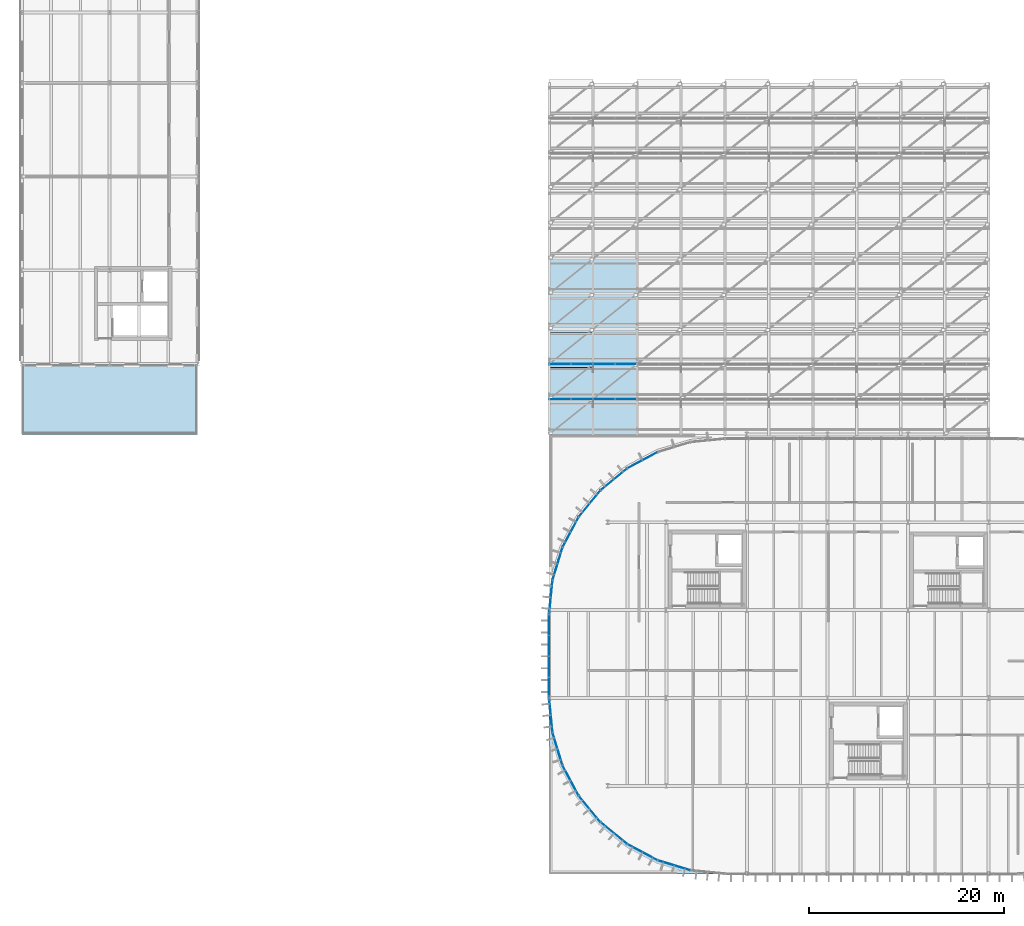
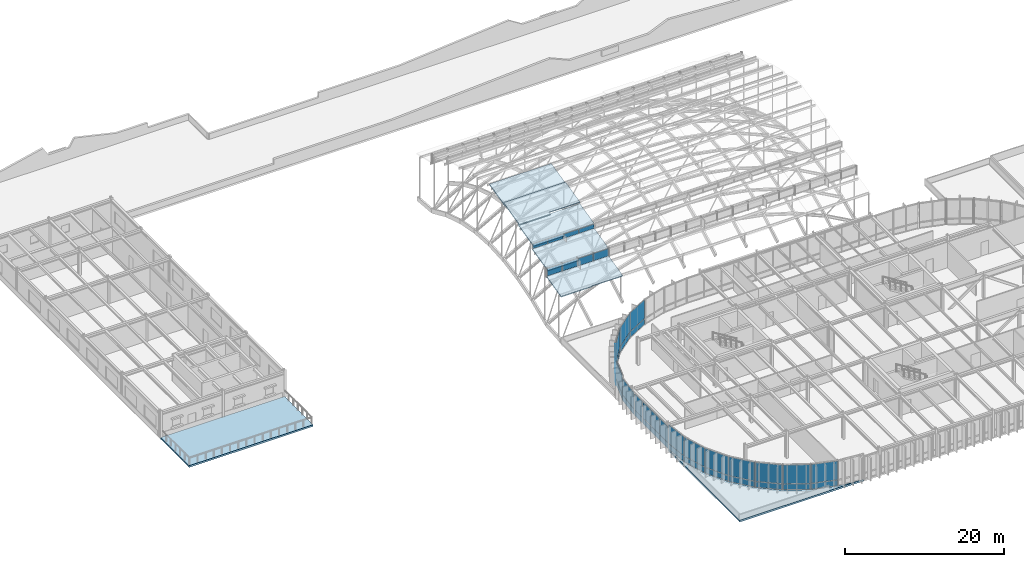
# One storey, part 42 of 69: 42 plates, 7 slabs, 18 elements without a shape of their own.
"""IFC4 building model written with IfcOpenShell, lengths in metres."""

from ifc_helpers import new_model, si_unit, direction, frame, origin, origin_2d, place, context, subcontext, project, spatial, polyline, rectangle, outline, extrude, material, layer, layer_set, type_object, element, aggregate, save


model = new_model("IFC4")

# Units and contexts
model_context = context("Model", 3, precision=1e-05, world=origin(), true_north=direction((0.0, 1.0)))
body_context = subcontext(model_context, "Body", "Model", "MODEL_VIEW")
ifc_project = project(units=[si_unit("LENGTHUNIT", "METRE"), si_unit("AREAUNIT", "SQUARE_METRE"), si_unit("VOLUMEUNIT", "CUBIC_METRE"), si_unit("PLANEANGLEUNIT", "RADIAN"), si_unit("MASSUNIT", "GRAM", prefix="KILO")], contexts=[model_context])

# Site, building, storey
site_placement = place(None, origin())
site = spatial("IfcSite", under=ifc_project, at=site_placement, CompositionType="ELEMENT")
building_placement = place(site_placement, origin())
building = spatial("IfcBuilding", under=site, at=building_placement, Name="Montealbar Specialist Clinic", CompositionType="ELEMENT")
storey_placement = place(building_placement, frame((0.0, 0.0, 9.60009765625)))
storey = spatial("IfcBuildingStorey", under=building, at=storey_placement, Name="L02", CompositionType="ELEMENT", Elevation=9.60009765625)

# Curtain wall, plates
ifc_material_1 = material(Name="Low-E double glazing", Category="glass")
ifc_layer_1 = layer(ifc_material_1, 0.199951171875, Name="Low-E double glazing", Category="glass")
ifc_layer_set_1 = layer_set([ifc_layer_1], Name="Low-E double glazing")
curtain_wall_type_1 = type_object("IfcCurtainWallType", Name="CW-TYPE-47", PredefinedType="NOTDEFINED", material=ifc_layer_set_1)
curtain_wall_1_placement = place(storey_placement, origin())
curtain_wall_1 = element("IfcCurtainWall", 1, at=curtain_wall_1_placement, inside=storey, type_object=curtain_wall_type_1, Name="Unitised Curtain Wall CW-L02-540-486-630-486-175", PredefinedType="NOTDEFINED")
ifc_layer_2 = layer(ifc_material_1, 0.028076171875, Name="Low-E double glazing", Category="glass")
ifc_layer_set_2 = layer_set([ifc_layer_2], Name="Low-E double glazing")
plate_type_1 = type_object("IfcPlateType", Name="CW-PNL-IGU28", PredefinedType="CURTAIN_PANEL", material=ifc_layer_set_2)
plate_1_placement = place(storey_placement, frame((55.125, 48.60009765625, 8.00439453125), z_axis=(0.0, 0.0, 1.0), x_axis=(1.0, 0.0, 0.0)))
plate_1 = element("IfcPlate", 2, at=plate_1_placement, type_object=plate_type_1, Name="Glazed Curtain Panel CW-L02-540-486-630-486-175-1-1", PredefinedType="CURTAIN_PANEL", context=body_context, shape_type="SweptSolid", body=[
    extrude(rectangle(XDim=2.177978515625, YDim=0.028076171875, at=origin_2d()), origin(), (0.0, 0.0, 1.0), 1.116943359375),
])
plate_2_placement = place(storey_placement, frame((57.375, 48.60009765625, 8.00439453125), z_axis=(0.0, 0.0, 1.0), x_axis=(1.0, 0.0, 0.0)))
plate_2 = element("IfcPlate", 3, at=plate_2_placement, type_object=plate_type_1, Name="Glazed Curtain Panel CW-L02-540-486-630-486-175-2-1", PredefinedType="CURTAIN_PANEL", context=body_context, shape_type="SweptSolid", body=[
    extrude(rectangle(XDim=2.177978515625, YDim=0.028076171875, at=origin_2d()), origin(), (0.0, 0.0, 1.0), 1.116943359375),
])
plate_3_placement = place(storey_placement, frame((59.625, 48.60009765625, 8.00439453125), z_axis=(0.0, 0.0, 1.0), x_axis=(1.0, 0.0, 0.0)))
plate_3 = element("IfcPlate", 4, at=plate_3_placement, type_object=plate_type_1, Name="Glazed Curtain Panel CW-L02-540-486-630-486-175-3-1", PredefinedType="CURTAIN_PANEL", context=body_context, shape_type="SweptSolid", body=[
    extrude(rectangle(XDim=2.177978515625, YDim=0.028076171875, at=origin_2d()), origin(), (0.0, 0.0, 1.0), 1.116943359375),
])
plate_4_placement = place(storey_placement, frame((61.875, 48.60009765625, 8.00439453125), z_axis=(0.0, 0.0, 1.0), x_axis=(1.0, 0.0, 0.0)))
plate_4 = element("IfcPlate", 5, at=plate_4_placement, type_object=plate_type_1, Name="Glazed Curtain Panel CW-L02-540-486-630-486-175-4-1", PredefinedType="CURTAIN_PANEL", context=body_context, shape_type="SweptSolid", body=[
    extrude(rectangle(XDim=2.177978515625, YDim=0.028076171875, at=origin_2d()), origin(), (0.0, 0.0, 1.0), 1.116943359375),
])
aggregate(curtain_wall_1, [plate_1, plate_2, plate_3, plate_4])

ifc_layer_3 = layer(ifc_material_1, 0.199951171875, Name="Low-E double glazing", Category="glass")
ifc_layer_set_3 = layer_set([ifc_layer_3], Name="Low-E double glazing")
curtain_wall_type_2 = type_object("IfcCurtainWallType", Name="CW-TYPE-48", PredefinedType="NOTDEFINED", material=ifc_layer_set_3)
curtain_wall_2_placement = place(storey_placement, origin())
curtain_wall_2 = element("IfcCurtainWall", 6, at=curtain_wall_2_placement, inside=storey, type_object=curtain_wall_type_2, Name="Unitised Curtain Wall CW-L02-540-522-630-522-196", PredefinedType="NOTDEFINED")
plate_5_placement = place(storey_placement, frame((55.125, 52.199951171875, 10.044921875), z_axis=(0.0, 0.0, 1.0), x_axis=(1.0, 0.0, 0.0)))
plate_5 = element("IfcPlate", 7, at=plate_5_placement, type_object=plate_type_1, Name="Glazed Curtain Panel CW-L02-540-522-630-522-196-1-1", PredefinedType="CURTAIN_PANEL", context=body_context, shape_type="SweptSolid", body=[
    extrude(rectangle(XDim=2.177978515625, YDim=0.028076171875, at=origin_2d()), origin(), (0.0, 0.0, 1.0), 0.6640625),
])
plate_6_placement = place(storey_placement, frame((57.375, 52.199951171875, 10.044921875), z_axis=(0.0, 0.0, 1.0), x_axis=(1.0, 0.0, 0.0)))
plate_6 = element("IfcPlate", 8, at=plate_6_placement, type_object=plate_type_1, Name="Glazed Curtain Panel CW-L02-540-522-630-522-196-2-1", PredefinedType="CURTAIN_PANEL", context=body_context, shape_type="SweptSolid", body=[
    extrude(rectangle(XDim=2.177978515625, YDim=0.028076171875, at=origin_2d()), origin(), (0.0, 0.0, 1.0), 0.6640625),
])
plate_7_placement = place(storey_placement, frame((59.625, 52.199951171875, 10.044921875), z_axis=(0.0, 0.0, 1.0), x_axis=(1.0, 0.0, 0.0)))
plate_7 = element("IfcPlate", 9, at=plate_7_placement, type_object=plate_type_1, Name="Glazed Curtain Panel CW-L02-540-522-630-522-196-3-1", PredefinedType="CURTAIN_PANEL", context=body_context, shape_type="SweptSolid", body=[
    extrude(rectangle(XDim=2.177978515625, YDim=0.028076171875, at=origin_2d()), origin(), (0.0, 0.0, 1.0), 0.6640625),
])
plate_8_placement = place(storey_placement, frame((61.875, 52.199951171875, 10.044921875), z_axis=(0.0, 0.0, 1.0), x_axis=(1.0, 0.0, 0.0)))
plate_8 = element("IfcPlate", 10, at=plate_8_placement, type_object=plate_type_1, Name="Glazed Curtain Panel CW-L02-540-522-630-522-196-4-1", PredefinedType="CURTAIN_PANEL", context=body_context, shape_type="SweptSolid", body=[
    extrude(rectangle(XDim=2.177978515625, YDim=0.028076171875, at=origin_2d()), origin(), (0.0, 0.0, 1.0), 0.6640625),
])
aggregate(curtain_wall_2, [plate_5, plate_6, plate_7, plate_8])

ifc_layer_4 = layer(ifc_material_1, 0.199951171875, Name="Low-E double glazing", Category="glass")
ifc_layer_set_4 = layer_set([ifc_layer_4], Name="Low-E double glazing")
curtain_wall_type_3 = type_object("IfcCurtainWallType", Name="CW-TYPE-12", PredefinedType="NOTDEFINED", material=ifc_layer_set_4)
curtain_wall_3_placement = place(storey_placement, origin())
curtain_wall_3 = element("IfcCurtainWall", 11, at=curtain_wall_3_placement, inside=storey, type_object=curtain_wall_type_3, Name="Unitised Curtain Wall CW-L02-543-301-554-334-96", PredefinedType="NOTDEFINED")
ifc_layer_5 = layer(ifc_material_1, 0.0380859375, Name="Low-E double glazing", Category="glass")
ifc_layer_set_5 = layer_set([ifc_layer_5], Name="Low-E double glazing")
plate_type_2 = type_object("IfcPlateType", Name="CW-PNL-IGU38", PredefinedType="CURTAIN_PANEL", material=ifc_layer_set_5)
plate_9_placement = place(storey_placement, frame((54.85791015625, 31.75, 0.06982421875), z_axis=(0.0, 0.0, 1.0), x_axis=(0.290259134399, 0.956948083701, 0.0)))
plate_9 = element("IfcPlate", 12, at=plate_9_placement, type_object=plate_type_2, Name="Glazed Curtain Panel CW-L02-543-301-554-334-96-1-1", PredefinedType="CURTAIN_PANEL", context=body_context, shape_type="SweptSolid", body=[
    extrude(rectangle(XDim=3.444091796875, YDim=0.0380859375, at=origin_2d()), origin(), (0.0, 0.0, 1.0), 0.85009765625),
])
plate_10_placement = place(storey_placement, frame((54.85791015625, 31.75, 0.97998046875), z_axis=(0.0, 0.0, 1.0), x_axis=(0.290259134399, 0.956948083701, 0.0)))
plate_10 = element("IfcPlate", 13, at=plate_10_placement, type_object=plate_type_2, Name="Glazed Curtain Panel CW-L02-543-301-554-334-96-1-2", PredefinedType="CURTAIN_PANEL", context=body_context, shape_type="SweptSolid", body=[
    extrude(rectangle(XDim=3.444091796875, YDim=0.0380859375, at=origin_2d()), origin(), (0.0, 0.0, 1.0), 2.8798828125),
])
aggregate(curtain_wall_3, [plate_9, plate_10])

curtain_wall_4_placement = place(storey_placement, origin())
curtain_wall_4 = element("IfcCurtainWall", 14, at=curtain_wall_4_placement, inside=storey, type_object=curtain_wall_type_3, Name="Unitised Curtain Wall CW-L02-554-334-570-366-96", PredefinedType="NOTDEFINED")
plate_11_placement = place(storey_placement, frame((56.201904296875, 34.993896484375, 0.06982421875), z_axis=(0.0, 0.0, 1.0), x_axis=(0.471529268958, 0.881850411644, 0.0)))
plate_11 = element("IfcPlate", 15, at=plate_11_placement, type_object=plate_type_2, Name="Glazed Curtain Panel CW-L02-554-334-570-366-96-1-1", PredefinedType="CURTAIN_PANEL", context=body_context, shape_type="SweptSolid", body=[
    extrude(rectangle(XDim=3.445068359375, YDim=0.0380859375, at=origin_2d()), origin(), (0.0, 0.0, 1.0), 0.85009765625),
])
plate_12_placement = place(storey_placement, frame((56.201904296875, 34.993896484375, 0.97998046875), z_axis=(0.0, 0.0, 1.0), x_axis=(0.471529268958, 0.881850411644, 0.0)))
plate_12 = element("IfcPlate", 16, at=plate_12_placement, type_object=plate_type_2, Name="Glazed Curtain Panel CW-L02-554-334-570-366-96-1-2", PredefinedType="CURTAIN_PANEL", context=body_context, shape_type="SweptSolid", body=[
    extrude(rectangle(XDim=3.445068359375, YDim=0.0380859375, at=origin_2d()), origin(), (0.0, 0.0, 1.0), 2.8798828125),
])
aggregate(curtain_wall_4, [plate_11, plate_12])

curtain_wall_5_placement = place(storey_placement, origin())
curtain_wall_5 = element("IfcCurtainWall", 17, at=curtain_wall_5_placement, inside=storey, type_object=curtain_wall_type_3, Name="Unitised Curtain Wall CW-L02-570-366-593-393-96", PredefinedType="NOTDEFINED")
plate_13_placement = place(storey_placement, frame((58.153076171875, 37.9140625, 0.06982421875), z_axis=(0.0, 0.0, 1.0), x_axis=(0.634255808922, 0.773123255923, 0.0)))
plate_13 = element("IfcPlate", 18, at=plate_13_placement, type_object=plate_type_2, Name="Glazed Curtain Panel CW-L02-570-366-593-393-96-1-1", PredefinedType="CURTAIN_PANEL", context=body_context, shape_type="SweptSolid", body=[
    extrude(rectangle(XDim=3.445068359375, YDim=0.0380859375, at=origin_2d()), origin(), (0.0, 0.0, 1.0), 0.85009765625),
])
plate_14_placement = place(storey_placement, frame((58.153076171875, 37.9140625, 0.97998046875), z_axis=(0.0, 0.0, 1.0), x_axis=(0.634255808922, 0.773123255923, 0.0)))
plate_14 = element("IfcPlate", 19, at=plate_14_placement, type_object=plate_type_2, Name="Glazed Curtain Panel CW-L02-570-366-593-393-96-1-2", PredefinedType="CURTAIN_PANEL", context=body_context, shape_type="SweptSolid", body=[
    extrude(rectangle(XDim=3.445068359375, YDim=0.0380859375, at=origin_2d()), origin(), (0.0, 0.0, 1.0), 2.8798828125),
])
aggregate(curtain_wall_5, [plate_13, plate_14])

curtain_wall_6_placement = place(storey_placement, origin())
curtain_wall_6 = element("IfcCurtainWall", 20, at=curtain_wall_6_placement, inside=storey, type_object=curtain_wall_type_3, Name="Unitised Curtain Wall CW-L02-593-393-620-415-96", PredefinedType="NOTDEFINED")
plate_15_placement = place(storey_placement, frame((60.635986328125, 40.39697265625, 0.06982421875), z_axis=(0.0, 0.0, 1.0), x_axis=(0.773123255923, 0.634255808922, 0.0)))
plate_15 = element("IfcPlate", 21, at=plate_15_placement, type_object=plate_type_2, Name="Glazed Curtain Panel CW-L02-593-393-620-415-96-1-1", PredefinedType="CURTAIN_PANEL", context=body_context, shape_type="SweptSolid", body=[
    extrude(rectangle(XDim=3.445068359375, YDim=0.0380859375, at=origin_2d()), origin(), (0.0, 0.0, 1.0), 0.85009765625),
])
plate_16_placement = place(storey_placement, frame((60.635986328125, 40.39697265625, 0.97998046875), z_axis=(0.0, 0.0, 1.0), x_axis=(0.773123255923, 0.634255808922, 0.0)))
plate_16 = element("IfcPlate", 22, at=plate_16_placement, type_object=plate_type_2, Name="Glazed Curtain Panel CW-L02-593-393-620-415-96-1-2", PredefinedType="CURTAIN_PANEL", context=body_context, shape_type="SweptSolid", body=[
    extrude(rectangle(XDim=3.445068359375, YDim=0.0380859375, at=origin_2d()), origin(), (0.0, 0.0, 1.0), 2.8798828125),
])
aggregate(curtain_wall_6, [plate_15, plate_16])

curtain_wall_7_placement = place(storey_placement, origin())
curtain_wall_7 = element("IfcCurtainWall", 23, at=curtain_wall_7_placement, inside=storey, type_object=curtain_wall_type_3, Name="Unitised Curtain Wall CW-L02-620-415-651-432-96", PredefinedType="NOTDEFINED")
plate_17_placement = place(storey_placement, frame((63.555908203125, 42.347900390625, 0.06982421875), z_axis=(0.0, 0.0, 1.0), x_axis=(0.881850411644, 0.471529268958, 0.0)))
plate_17 = element("IfcPlate", 24, at=plate_17_placement, type_object=plate_type_2, Name="Glazed Curtain Panel CW-L02-620-415-651-432-96-1-1", PredefinedType="CURTAIN_PANEL", context=body_context, shape_type="SweptSolid", body=[
    extrude(rectangle(XDim=3.445068359375, YDim=0.0380859375, at=origin_2d()), origin(), (0.0, 0.0, 1.0), 0.85009765625),
])
plate_18_placement = place(storey_placement, frame((63.555908203125, 42.347900390625, 0.97998046875), z_axis=(0.0, 0.0, 1.0), x_axis=(0.881850411644, 0.471529268958, 0.0)))
plate_18 = element("IfcPlate", 25, at=plate_18_placement, type_object=plate_type_2, Name="Glazed Curtain Panel CW-L02-620-415-651-432-96-1-2", PredefinedType="CURTAIN_PANEL", context=body_context, shape_type="SweptSolid", body=[
    extrude(rectangle(XDim=3.445068359375, YDim=0.0380859375, at=origin_2d()), origin(), (0.0, 0.0, 1.0), 2.8798828125),
])
aggregate(curtain_wall_7, [plate_17, plate_18])

curtain_wall_8_placement = place(storey_placement, origin())
curtain_wall_8 = element("IfcCurtainWall", 26, at=curtain_wall_8_placement, inside=storey, type_object=curtain_wall_type_3, Name="Unitised Curtain Wall CW-L02-685-3-651-14-96", PredefinedType="NOTDEFINED")
plate_19_placement = place(storey_placement, frame((66.800048828125, 0.85791015625, 0.06982421875), z_axis=(0.0, 0.0, 1.0), x_axis=(-0.956948083701, 0.290259134399, 0.0)))
plate_19 = element("IfcPlate", 27, at=plate_19_placement, type_object=plate_type_2, Name="Glazed Curtain Panel CW-L02-685-3-651-14-96-1-1", PredefinedType="CURTAIN_PANEL", context=body_context, shape_type="SweptSolid", body=[
    extrude(rectangle(XDim=3.444091796875, YDim=0.0380859375, at=origin_2d()), origin(), (0.0, 0.0, 1.0), 0.85009765625),
])
plate_20_placement = place(storey_placement, frame((66.800048828125, 0.85791015625, 0.97998046875), z_axis=(0.0, 0.0, 1.0), x_axis=(-0.956948083701, 0.290259134399, 0.0)))
plate_20 = element("IfcPlate", 28, at=plate_20_placement, type_object=plate_type_2, Name="Glazed Curtain Panel CW-L02-685-3-651-14-96-1-2", PredefinedType="CURTAIN_PANEL", context=body_context, shape_type="SweptSolid", body=[
    extrude(rectangle(XDim=3.444091796875, YDim=0.0380859375, at=origin_2d()), origin(), (0.0, 0.0, 1.0), 2.8798828125),
])
aggregate(curtain_wall_8, [plate_19, plate_20])

curtain_wall_9_placement = place(storey_placement, origin())
curtain_wall_9 = element("IfcCurtainWall", 29, at=curtain_wall_9_placement, inside=storey, type_object=curtain_wall_type_3, Name="Unitised Curtain Wall CW-L02-651-14-620-30-96", PredefinedType="NOTDEFINED")
plate_21_placement = place(storey_placement, frame((63.555908203125, 2.201904296875, 0.06982421875), z_axis=(0.0, 0.0, 1.0), x_axis=(-0.881850411644, 0.471529268958, 0.0)))
plate_21 = element("IfcPlate", 30, at=plate_21_placement, type_object=plate_type_2, Name="Glazed Curtain Panel CW-L02-651-14-620-30-96-1-1", PredefinedType="CURTAIN_PANEL", context=body_context, shape_type="SweptSolid", body=[
    extrude(rectangle(XDim=3.445068359375, YDim=0.0380859375, at=origin_2d()), origin(), (0.0, 0.0, 1.0), 0.85009765625),
])
plate_22_placement = place(storey_placement, frame((63.555908203125, 2.201904296875, 0.97998046875), z_axis=(0.0, 0.0, 1.0), x_axis=(-0.881850411644, 0.471529268958, 0.0)))
plate_22 = element("IfcPlate", 31, at=plate_22_placement, type_object=plate_type_2, Name="Glazed Curtain Panel CW-L02-651-14-620-30-96-1-2", PredefinedType="CURTAIN_PANEL", context=body_context, shape_type="SweptSolid", body=[
    extrude(rectangle(XDim=3.445068359375, YDim=0.0380859375, at=origin_2d()), origin(), (0.0, 0.0, 1.0), 2.8798828125),
])
aggregate(curtain_wall_9, [plate_21, plate_22])

curtain_wall_10_placement = place(storey_placement, origin())
curtain_wall_10 = element("IfcCurtainWall", 32, at=curtain_wall_10_placement, inside=storey, type_object=curtain_wall_type_3, Name="Unitised Curtain Wall CW-L02-620-30-593-53-96", PredefinedType="NOTDEFINED")
plate_23_placement = place(storey_placement, frame((60.635986328125, 4.153076171875, 0.06982421875), z_axis=(0.0, 0.0, 1.0), x_axis=(-0.773123255923, 0.634255808922, 0.0)))
plate_23 = element("IfcPlate", 33, at=plate_23_placement, type_object=plate_type_2, Name="Glazed Curtain Panel CW-L02-620-30-593-53-96-1-1", PredefinedType="CURTAIN_PANEL", context=body_context, shape_type="SweptSolid", body=[
    extrude(rectangle(XDim=3.445068359375, YDim=0.0380859375, at=origin_2d()), origin(), (0.0, 0.0, 1.0), 0.85009765625),
])
plate_24_placement = place(storey_placement, frame((60.635986328125, 4.153076171875, 0.97998046875), z_axis=(0.0, 0.0, 1.0), x_axis=(-0.773123255923, 0.634255808922, 0.0)))
plate_24 = element("IfcPlate", 34, at=plate_24_placement, type_object=plate_type_2, Name="Glazed Curtain Panel CW-L02-620-30-593-53-96-1-2", PredefinedType="CURTAIN_PANEL", context=body_context, shape_type="SweptSolid", body=[
    extrude(rectangle(XDim=3.445068359375, YDim=0.0380859375, at=origin_2d()), origin(), (0.0, 0.0, 1.0), 2.8798828125),
])
aggregate(curtain_wall_10, [plate_23, plate_24])

curtain_wall_11_placement = place(storey_placement, origin())
curtain_wall_11 = element("IfcCurtainWall", 35, at=curtain_wall_11_placement, inside=storey, type_object=curtain_wall_type_3, Name="Unitised Curtain Wall CW-L02-593-53-570-80-96", PredefinedType="NOTDEFINED")
plate_25_placement = place(storey_placement, frame((58.153076171875, 6.635986328125, 0.06982421875), z_axis=(0.0, 0.0, 1.0), x_axis=(-0.634255808922, 0.773123255923, 0.0)))
plate_25 = element("IfcPlate", 36, at=plate_25_placement, type_object=plate_type_2, Name="Glazed Curtain Panel CW-L02-593-53-570-80-96-1-1", PredefinedType="CURTAIN_PANEL", context=body_context, shape_type="SweptSolid", body=[
    extrude(rectangle(XDim=3.445068359375, YDim=0.0380859375, at=origin_2d()), origin(), (0.0, 0.0, 1.0), 0.85009765625),
])
plate_26_placement = place(storey_placement, frame((58.153076171875, 6.635986328125, 0.97998046875), z_axis=(0.0, 0.0, 1.0), x_axis=(-0.634255808922, 0.773123255923, 0.0)))
plate_26 = element("IfcPlate", 37, at=plate_26_placement, type_object=plate_type_2, Name="Glazed Curtain Panel CW-L02-593-53-570-80-96-1-2", PredefinedType="CURTAIN_PANEL", context=body_context, shape_type="SweptSolid", body=[
    extrude(rectangle(XDim=3.445068359375, YDim=0.0380859375, at=origin_2d()), origin(), (0.0, 0.0, 1.0), 2.8798828125),
])
aggregate(curtain_wall_11, [plate_25, plate_26])

curtain_wall_12_placement = place(storey_placement, origin())
curtain_wall_12 = element("IfcCurtainWall", 38, at=curtain_wall_12_placement, inside=storey, type_object=curtain_wall_type_3, Name="Unitised Curtain Wall CW-L02-570-80-554-111-96", PredefinedType="NOTDEFINED")
plate_27_placement = place(storey_placement, frame((56.201904296875, 9.555908203125, 0.06982421875), z_axis=(0.0, 0.0, 1.0), x_axis=(-0.471529268958, 0.881850411644, 0.0)))
plate_27 = element("IfcPlate", 39, at=plate_27_placement, type_object=plate_type_2, Name="Glazed Curtain Panel CW-L02-570-80-554-111-96-1-1", PredefinedType="CURTAIN_PANEL", context=body_context, shape_type="SweptSolid", body=[
    extrude(rectangle(XDim=3.445068359375, YDim=0.0380859375, at=origin_2d()), origin(), (0.0, 0.0, 1.0), 0.85009765625),
])
plate_28_placement = place(storey_placement, frame((56.201904296875, 9.555908203125, 0.97998046875), z_axis=(0.0, 0.0, 1.0), x_axis=(-0.471529268958, 0.881850411644, 0.0)))
plate_28 = element("IfcPlate", 40, at=plate_28_placement, type_object=plate_type_2, Name="Glazed Curtain Panel CW-L02-570-80-554-111-96-1-2", PredefinedType="CURTAIN_PANEL", context=body_context, shape_type="SweptSolid", body=[
    extrude(rectangle(XDim=3.445068359375, YDim=0.0380859375, at=origin_2d()), origin(), (0.0, 0.0, 1.0), 2.8798828125),
])
aggregate(curtain_wall_12, [plate_27, plate_28])

curtain_wall_13_placement = place(storey_placement, origin())
curtain_wall_13 = element("IfcCurtainWall", 41, at=curtain_wall_13_placement, inside=storey, type_object=curtain_wall_type_3, Name="Unitised Curtain Wall CW-L02-554-111-543-145-96", PredefinedType="NOTDEFINED")
plate_29_placement = place(storey_placement, frame((54.85791015625, 12.800048828125, 0.06982421875), z_axis=(0.0, 0.0, 1.0), x_axis=(-0.290259134399, 0.956948083701, 0.0)))
plate_29 = element("IfcPlate", 42, at=plate_29_placement, type_object=plate_type_2, Name="Glazed Curtain Panel CW-L02-554-111-543-145-96-1-1", PredefinedType="CURTAIN_PANEL", context=body_context, shape_type="SweptSolid", body=[
    extrude(rectangle(XDim=3.444091796875, YDim=0.0380859375, at=origin_2d()), origin(), (0.0, 0.0, 1.0), 0.85009765625),
])
plate_30_placement = place(storey_placement, frame((54.85791015625, 12.800048828125, 0.97998046875), z_axis=(0.0, 0.0, 1.0), x_axis=(-0.290259134399, 0.956948083701, 0.0)))
plate_30 = element("IfcPlate", 43, at=plate_30_placement, type_object=plate_type_2, Name="Glazed Curtain Panel CW-L02-554-111-543-145-96-1-2", PredefinedType="CURTAIN_PANEL", context=body_context, shape_type="SweptSolid", body=[
    extrude(rectangle(XDim=3.444091796875, YDim=0.0380859375, at=origin_2d()), origin(), (0.0, 0.0, 1.0), 2.8798828125),
])
aggregate(curtain_wall_13, [plate_29, plate_30])

curtain_wall_14_placement = place(storey_placement, origin())
curtain_wall_14 = element("IfcCurtainWall", 44, at=curtain_wall_14_placement, inside=storey, type_object=curtain_wall_type_3, Name="Unitised Curtain Wall CW-L02-543-145-540-180-96", PredefinedType="NOTDEFINED")
plate_31_placement = place(storey_placement, frame((54.173095703125, 16.243896484375, 0.06982421875), z_axis=(0.0, 0.0, 1.0), x_axis=(-0.098044697094, 0.995182012183, 0.0)))
plate_31 = element("IfcPlate", 45, at=plate_31_placement, type_object=plate_type_2, Name="Glazed Curtain Panel CW-L02-543-145-540-180-96-1-1", PredefinedType="CURTAIN_PANEL", context=body_context, shape_type="SweptSolid", body=[
    extrude(rectangle(XDim=3.445068359375, YDim=0.0380859375, at=origin_2d()), origin(), (0.0, 0.0, 1.0), 0.85009765625),
])
plate_32_placement = place(storey_placement, frame((54.173095703125, 16.243896484375, 0.97998046875), z_axis=(0.0, 0.0, 1.0), x_axis=(-0.098044697094, 0.995182012183, 0.0)))
plate_32 = element("IfcPlate", 46, at=plate_32_placement, type_object=plate_type_2, Name="Glazed Curtain Panel CW-L02-543-145-540-180-96-1-2", PredefinedType="CURTAIN_PANEL", context=body_context, shape_type="SweptSolid", body=[
    extrude(rectangle(XDim=3.445068359375, YDim=0.0380859375, at=origin_2d()), origin(), (0.0, 0.0, 1.0), 2.8798828125),
])
aggregate(curtain_wall_14, [plate_31, plate_32])

ifc_layer_6 = layer(ifc_material_1, 0.199951171875, Name="Low-E double glazing", Category="glass")
ifc_layer_set_6 = layer_set([ifc_layer_6], Name="Low-E double glazing")
curtain_wall_type_4 = type_object("IfcCurtainWallType", Name="CW-TYPE-17", PredefinedType="NOTDEFINED", material=ifc_layer_set_6)
curtain_wall_15_placement = place(storey_placement, origin())
curtain_wall_15 = element("IfcCurtainWall", 47, at=curtain_wall_15_placement, inside=storey, type_object=curtain_wall_type_4, Name="Unitised Curtain Wall CW-L02-540-180-540-266-96", PredefinedType="NOTDEFINED")
plate_33_placement = place(storey_placement, frame((54.0, 19.069091796875, 0.06982421875), z_axis=(0.0, 0.0, 1.0), x_axis=(0.0, 1.0, 0.0)))
plate_33 = element("IfcPlate", 48, at=plate_33_placement, type_object=plate_type_2, Name="Glazed Curtain Panel CW-L02-540-180-540-266-96-1-1", PredefinedType="CURTAIN_PANEL", context=body_context, shape_type="SweptSolid", body=[
    extrude(rectangle(XDim=2.053955078125, YDim=0.0380859375, at=origin_2d()), origin(), (0.0, 0.0, 1.0), 0.85009765625),
])
plate_34_placement = place(storey_placement, frame((54.0, 19.069091796875, 0.97998046875), z_axis=(0.0, 0.0, 1.0), x_axis=(0.0, 1.0, 0.0)))
plate_34 = element("IfcPlate", 49, at=plate_34_placement, type_object=plate_type_2, Name="Glazed Curtain Panel CW-L02-540-180-540-266-96-1-2", PredefinedType="CURTAIN_PANEL", context=body_context, shape_type="SweptSolid", body=[
    extrude(rectangle(XDim=2.053955078125, YDim=0.0380859375, at=origin_2d()), origin(), (0.0, 0.0, 1.0), 2.47998046875),
])
plate_35_placement = place(storey_placement, frame((54.0, 21.2060546875, 0.06982421875), z_axis=(0.0, 0.0, 1.0), x_axis=(0.0, 1.0, 0.0)))
plate_35 = element("IfcPlate", 50, at=plate_35_placement, type_object=plate_type_2, Name="Glazed Curtain Panel CW-L02-540-180-540-266-96-2-1", PredefinedType="CURTAIN_PANEL", context=body_context, shape_type="SweptSolid", body=[
    extrude(rectangle(XDim=2.053955078125, YDim=0.0380859375, at=origin_2d()), origin(), (0.0, 0.0, 1.0), 0.85009765625),
])
plate_36_placement = place(storey_placement, frame((54.0, 21.2060546875, 0.97998046875), z_axis=(0.0, 0.0, 1.0), x_axis=(0.0, 1.0, 0.0)))
plate_36 = element("IfcPlate", 51, at=plate_36_placement, type_object=plate_type_2, Name="Glazed Curtain Panel CW-L02-540-180-540-266-96-2-2", PredefinedType="CURTAIN_PANEL", context=body_context, shape_type="SweptSolid", body=[
    extrude(rectangle(XDim=2.053955078125, YDim=0.0380859375, at=origin_2d()), origin(), (0.0, 0.0, 1.0), 2.47998046875),
])
plate_37_placement = place(storey_placement, frame((54.0, 23.343994140625, 0.06982421875), z_axis=(0.0, 0.0, 1.0), x_axis=(0.0, 1.0, 0.0)))
plate_37 = element("IfcPlate", 52, at=plate_37_placement, type_object=plate_type_2, Name="Glazed Curtain Panel CW-L02-540-180-540-266-96-3-1", PredefinedType="CURTAIN_PANEL", context=body_context, shape_type="SweptSolid", body=[
    extrude(rectangle(XDim=2.053955078125, YDim=0.0380859375, at=origin_2d()), origin(), (0.0, 0.0, 1.0), 0.85009765625),
])
plate_38_placement = place(storey_placement, frame((54.0, 23.343994140625, 0.97998046875), z_axis=(0.0, 0.0, 1.0), x_axis=(0.0, 1.0, 0.0)))
plate_38 = element("IfcPlate", 53, at=plate_38_placement, type_object=plate_type_2, Name="Glazed Curtain Panel CW-L02-540-180-540-266-96-3-2", PredefinedType="CURTAIN_PANEL", context=body_context, shape_type="SweptSolid", body=[
    extrude(rectangle(XDim=2.053955078125, YDim=0.0380859375, at=origin_2d()), origin(), (0.0, 0.0, 1.0), 2.47998046875),
])
plate_39_placement = place(storey_placement, frame((54.0, 25.48095703125, 0.06982421875), z_axis=(0.0, 0.0, 1.0), x_axis=(0.0, 1.0, 0.0)))
plate_39 = element("IfcPlate", 54, at=plate_39_placement, type_object=plate_type_2, Name="Glazed Curtain Panel CW-L02-540-180-540-266-96-4-1", PredefinedType="CURTAIN_PANEL", context=body_context, shape_type="SweptSolid", body=[
    extrude(rectangle(XDim=2.053955078125, YDim=0.0380859375, at=origin_2d()), origin(), (0.0, 0.0, 1.0), 0.85009765625),
])
plate_40_placement = place(storey_placement, frame((54.0, 25.48095703125, 0.97998046875), z_axis=(0.0, 0.0, 1.0), x_axis=(0.0, 1.0, 0.0)))
plate_40 = element("IfcPlate", 55, at=plate_40_placement, type_object=plate_type_2, Name="Glazed Curtain Panel CW-L02-540-180-540-266-96-4-2", PredefinedType="CURTAIN_PANEL", context=body_context, shape_type="SweptSolid", body=[
    extrude(rectangle(XDim=2.053955078125, YDim=0.0380859375, at=origin_2d()), origin(), (0.0, 0.0, 1.0), 2.47998046875),
])
aggregate(curtain_wall_15, [plate_33, plate_34, plate_35, plate_36, plate_37, plate_38, plate_39, plate_40])

ifc_layer_7 = layer(ifc_material_1, 0.199951171875, Name="Low-E double glazing", Category="glass")
ifc_layer_set_7 = layer_set([ifc_layer_7], Name="Low-E double glazing")
curtain_wall_type_5 = type_object("IfcCurtainWallType", Name="CW-TYPE-15", PredefinedType="NOTDEFINED", material=ifc_layer_set_7)
curtain_wall_16_placement = place(storey_placement, origin())
curtain_wall_16 = element("IfcCurtainWall", 56, at=curtain_wall_16_placement, inside=storey, type_object=curtain_wall_type_5, Name="Unitised Curtain Wall CW-L02-540-266-543-301-96", PredefinedType="NOTDEFINED")
plate_41_placement = place(storey_placement, frame((54.173095703125, 28.305908203125, 0.06982421875), z_axis=(0.0, 0.0, 1.0), x_axis=(0.098044697094, 0.995182012183, 0.0)))
plate_41 = element("IfcPlate", 57, at=plate_41_placement, type_object=plate_type_2, Name="Glazed Curtain Panel CW-L02-540-266-543-301-96-1-1", PredefinedType="CURTAIN_PANEL", context=body_context, shape_type="SweptSolid", body=[
    extrude(rectangle(XDim=3.445068359375, YDim=0.0380859375, at=origin_2d()), origin(), (0.0, 0.0, 1.0), 0.85009765625),
])
plate_42_placement = place(storey_placement, frame((54.173095703125, 28.305908203125, 0.97998046875), z_axis=(0.0, 0.0, 1.0), x_axis=(0.098044697094, 0.995182012183, 0.0)))
plate_42 = element("IfcPlate", 58, at=plate_42_placement, type_object=plate_type_2, Name="Glazed Curtain Panel CW-L02-540-266-543-301-96-1-2", PredefinedType="CURTAIN_PANEL", context=body_context, shape_type="SweptSolid", body=[
    extrude(rectangle(XDim=3.445068359375, YDim=0.0380859375, at=origin_2d()), origin(), (0.0, 0.0, 1.0), 2.47998046875),
])
aggregate(curtain_wall_16, [plate_41, plate_42])

# Roof, slabs
ifc_material_2 = material(Name="Glulam GL28h", Category="wood")
roof_type_1 = type_object("IfcRoofType", Name="ROOF-GRIDSHELL", PredefinedType="BARREL_ROOF", material=ifc_material_2)
roof_1_placement = place(storey_placement, origin())
roof_1 = element("IfcRoof", 59, at=roof_1_placement, inside=storey, type_object=roof_type_1, Name="Treatment Hall translational gridshell barrel vault roof", PredefinedType="BARREL_ROOF")
ifc_material_3 = material(Name="Precast concrete C40/50", Category="concrete")
ifc_layer_8 = layer(ifc_material_3, 0.159912109375, Name="Precast concrete C40/50", Category="concrete")
ifc_layer_set_8 = layer_set([ifc_layer_8], Name="Precast concrete C40/50")
slab_type_1 = type_object("IfcSlabType", Name="SL-ROOF-160", PredefinedType="ROOF", material=ifc_layer_set_8)
slab_1_placement = place(storey_placement, frame((54.0, 44.919921875, 7.130859375), z_axis=(9.379972e-06, -0.233348286157, 0.972393221521), x_axis=(0.999999999956, 2.1888e-06, -9.121021e-06)))
slab_1 = element("IfcSlab", 60, at=slab_1_placement, type_object=slab_type_1, Name="Gridshell Sloped Roof Panel 1-1", PredefinedType="ROOF", context=body_context, shape_type="SweptSolid", body=[
    extrude(outline(polyline([(0.0, 0.0), (4.499999999802037, 0.0), (4.500000001385747, 0.08231107006687044), (9.000000001187782, 0.08231107006687044), (9.000000000395927, 3.7846377375284233), (7.918548845890625e-10, 3.7846377375284233), (0.0, 0.0)])), origin(), (0.0, 0.0, -1.0), 0.159912109375),
])
slab_2_placement = place(storey_placement, frame((54.0, 48.239990234375, 9.10498046875), z_axis=(2.5372802e-05, -0.233325443566, 0.97239870256), x_axis=(0.999999999678, 5.92012e-06, -2.467248e-05)))
slab_2 = element("IfcSlab", 61, at=slab_2_placement, type_object=slab_type_1, Name="Gridshell Sloped Roof Panel 2-1", PredefinedType="ROOF", context=body_context, shape_type="SweptSolid", body=[
    extrude(outline(polyline([(0.0, 0.0), (4.499999998551497, 0.0), (4.500000010139521, 0.37021939523920666), (9.000000008691018, 0.37021939523920666), (9.000000002897007, 4.07230865766907), (5.794011813483235e-09, 4.07230865766907), (0.0, 0.0)])), origin(), (0.0, 0.0, -1.0), 0.159912109375),
])
slab_3_placement = place(storey_placement, frame((54.0, 51.840087890625, 10.69287109375), z_axis=(2.2057521e-05, -0.23331831888, 0.97240041217), x_axis=(0.999999999757, 5.146424e-06, -2.1448743e-05)))
slab_3 = element("IfcSlab", 62, at=slab_3_placement, type_object=slab_type_1, Name="Gridshell Sloped Roof Panel 3-1", PredefinedType="ROOF", context=body_context, shape_type="SweptSolid", body=[
    extrude(outline(polyline([(0.0, 0.0), (4.499999998905298, 0.0), (4.500000007662914, 0.3699819961311201), (9.000000006568213, 0.3699819961311201), (9.000000002189404, 4.072308659232904), (4.3788082904252644e-09, 4.072308659232904), (0.0, 0.0)])), origin(), (0.0, 0.0, -1.0), 0.159912109375),
])
slab_4_placement = place(storey_placement, frame((54.0, 55.43994140625, 11.826904296875), z_axis=(2.5372802e-05, -0.233325443566, 0.97239870256), x_axis=(0.999999999678, 5.92012e-06, -2.467248e-05)))
slab_4 = element("IfcSlab", 63, at=slab_4_placement, type_object=slab_type_1, Name="Gridshell Sloped Roof Panel 4-1", PredefinedType="ROOF", context=body_context, shape_type="SweptSolid", body=[
    extrude(outline(polyline([(0.0, 0.0), (4.499999998551497, 0.0), (4.500000010139521, 0.37021939523920666), (9.000000008691018, 0.37021939523920666), (9.000000002897007, 4.07230865766907), (5.794011813483235e-09, 4.07230865766907), (0.0, 0.0)])), origin(), (0.0, 0.0, -1.0), 0.159912109375),
])
slab_5_placement = place(storey_placement, frame((54.0, 59.0400390625, 12.5068359375), z_axis=(8.240752e-06, -0.233288625861, 0.972407536466), x_axis=(0.999999999966, 1.922474e-06, -8.013369e-06)))
slab_5 = element("IfcSlab", 64, at=slab_5_placement, type_object=slab_type_1, Name="Gridshell Sloped Roof Panel 5-1", PredefinedType="ROOF", context=body_context, shape_type="SweptSolid", body=[
    extrude(outline(polyline([(0.0, 0.0), (4.499999999847203, -1.9058241313221758e-21), (4.500000001069583, 0.3700389633133201), (9.000000000916787, 0.3700389633133201), (9.000000000305597, 4.072308663396214), (6.111899073148812e-10, 4.072308663396214), (0.0, 0.0)])), origin(), (0.0, 0.0, -1.0), 0.159912109375),
])
aggregate(roof_1, [slab_1, slab_2, slab_3, slab_4, slab_5])

# Roof, slab
ifc_material_4 = material(Name="Weatherproof roofing membrane", Category="concrete")
roof_type_2 = type_object("IfcRoofType", Name="ROOF-CONT-FLAT", PredefinedType="FLAT_ROOF", material=ifc_material_4)
roof_2_placement = place(storey_placement, origin())
roof_2 = element("IfcRoof", 65, at=roof_2_placement, inside=storey, type_object=roof_type_2, Name="Flat Roof Assembly ROOF-L02-06", PredefinedType="FLAT_ROOF")
ifc_material_5 = material(Name="Concrete C35/45", Category="concrete")
ifc_layer_9 = layer(ifc_material_5, 0.27001953125, Name="Concrete C35/45", Category="concrete")
ifc_layer_set_9 = layer_set([ifc_layer_9], Name="Concrete C35/45")
slab_type_2 = type_object("IfcSlabType", Name="SL-ROOF-220", PredefinedType="ROOF", material=ifc_layer_set_9)
slab_6_placement = place(storey_placement, frame((0.0, 0.0, -0.27001953125)))
slab_6 = element("IfcSlab", 66, at=slab_6_placement, type_object=slab_type_2, Name="Roof Slab ROOF-L02-06", PredefinedType="ROOF", context=body_context, shape_type="SweptSolid", body=[
    extrude(outline(polyline([(54.345947265625, 14.488037109375), (55.3701171875, 11.112060546875), (57.033935546875, 8.0), (59.27197265625, 5.27197265625), (62.0, 3.033935546875), (65.112060546875, 1.3701171875), (68.488037109375, 0.345947265625), (71.968994140625, 0.0), (54.0, 0.0), (54.0, 17.968994140625), (54.345947265625, 14.488037109375)])), origin(), (0.0, 0.0, 1.0), 0.27001953125),
])
aggregate(roof_2, [slab_6])

# Slab
ifc_layer_10 = layer(ifc_material_5, 0.27001953125, Name="Concrete C35/45", Category="concrete")
ifc_layer_set_10 = layer_set([ifc_layer_10], Name="Concrete C35/45")
slab_type_3 = type_object("IfcSlabType", Name="SL-TERR-180", PredefinedType="FLOOR", material=ifc_layer_set_10)
slab_7_placement = place(storey_placement, frame((0.0, 0.0, -0.27001953125)))
element("IfcSlab", 67, at=slab_7_placement, inside=storey, type_object=slab_type_3, Name="Exterior Terrace Deck TERR-L02-V2S", PredefinedType="FLOOR", context=body_context, shape_type="SweptSolid", body=[
    extrude(outline(polyline([(0.0, 45.0), (18.0, 45.0), (18.0, 52.199951171875), (0.0, 52.199951171875), (0.0, 45.0)])), origin(), (0.0, 0.0, 1.0), 0.27001953125),
])

save(model, "model.ifc")
